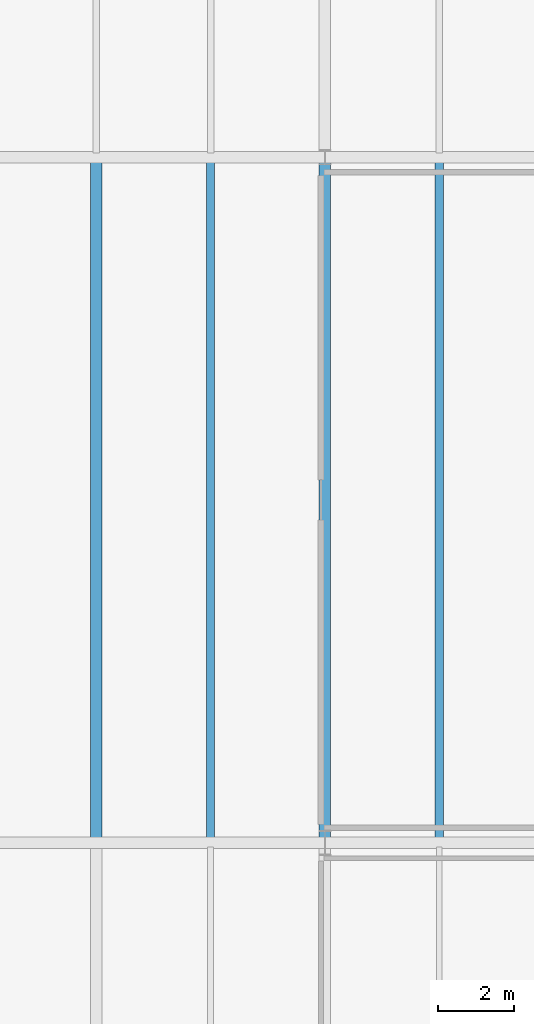
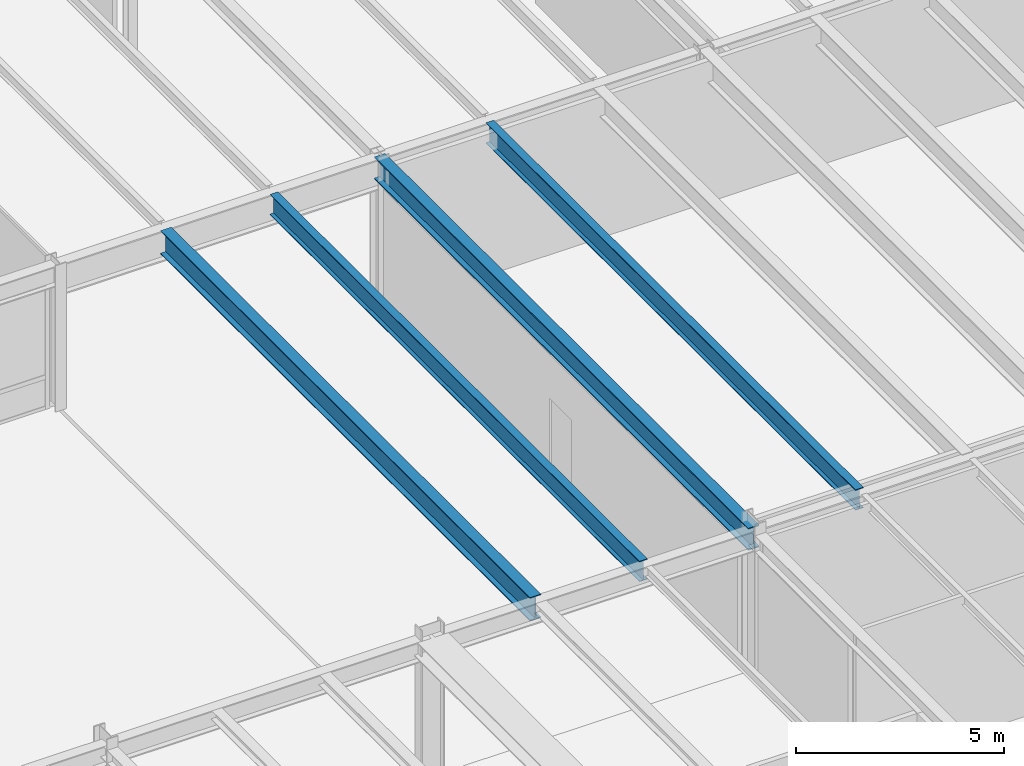
# One storey, part 40 of 115: 4 beams.
"""IFC4 building model written with IfcOpenShell, lengths in metres."""

from ifc_helpers import new_model, si_unit, direction, frame, origin, origin_2d, place, context, subcontext, project, spatial, i_section, extrude, material, material_profile, profile_set, type_object, element, save


model = new_model("IFC4")

# Units and contexts
model_context = context("Model", 3, precision=1e-05, world=origin(), true_north=direction((0.0, 1.0)))
body_context = subcontext(model_context, "Body", "Model", "MODEL_VIEW")
ifc_project = project(units=[si_unit("LENGTHUNIT", "METRE"), si_unit("AREAUNIT", "SQUARE_METRE"), si_unit("VOLUMEUNIT", "CUBIC_METRE"), si_unit("PLANEANGLEUNIT", "RADIAN"), si_unit("MASSUNIT", "GRAM", prefix="KILO")], contexts=[model_context])

# Site, building, storey
site_placement = place(None, origin())
site = spatial("IfcSite", under=ifc_project, at=site_placement, CompositionType="ELEMENT")
building_placement = place(site_placement, origin())
building = spatial("IfcBuilding", under=site, at=building_placement, Name="Montelvaro Courts of Justice", CompositionType="ELEMENT")
storey_placement = place(building_placement, frame((0.0, 0.0, 9.89990234375)))
storey = spatial("IfcBuildingStorey", under=building, at=storey_placement, Name="L02", CompositionType="ELEMENT", Elevation=9.89990234375)

# Beams
ifc_material = material(Name="Steel S355", Category="steel")
ifc_material_profile_1 = material_profile(ifc_material, i_section(OverallWidth=0.300048828125, OverallDepth=0.68994140625, WebThickness=0.014404296875, FlangeThickness=0.027099609375, at=origin_2d()), Name="HEA 700")
ifc_profile_set_1 = profile_set([ifc_material_profile_1], Name="Steel S355")
beam_type_1 = type_object("IfcBeamType", Name="Beam_HEA700", PredefinedType="USERDEFINED", material=ifc_profile_set_1)
beam_1_placement = place(storey_placement, frame((102.0, 24.110107421875, 3.85498046875), z_axis=(0.0, 1.0, 0.0), x_axis=(-1.0, 0.0, 0.0)))
element("IfcBeam", 1, at=beam_1_placement, inside=storey, type_object=beam_type_1, Name="Beam B-23 L02", ObjectType="GIRDER", PredefinedType="USERDEFINED", context=body_context, shape_type="SweptSolid", body=[
    extrude(i_section(OverallWidth=0.300048828125, OverallDepth=0.68994140625, WebThickness=0.014404296875, FlangeThickness=0.027099609375, at=origin_2d()), origin(), (0.0, 0.0, 1.0), 17.77978515625),
])
ifc_material_profile_2 = material_profile(ifc_material, i_section(OverallWidth=0.300048828125, OverallDepth=0.64990234375, WebThickness=0.01611328125, FlangeThickness=0.031005859375, at=origin_2d()), Name="HEB 650")
ifc_profile_set_2 = profile_set([ifc_material_profile_2], Name="Steel S355")
beam_type_2 = type_object("IfcBeamType", Name="Beam_HEB650", PredefinedType="USERDEFINED", material=ifc_profile_set_2)
beam_2_placement = place(storey_placement, frame((108.0, 24.0, 3.875), z_axis=(0.0, 1.0, 0.0), x_axis=(-1.0, 0.0, 0.0)))
element("IfcBeam", 2, at=beam_2_placement, inside=storey, type_object=beam_type_2, Name="Beam B-27 L02", ObjectType="GIRDER", PredefinedType="USERDEFINED", context=body_context, shape_type="SweptSolid", body=[
    extrude(i_section(OverallWidth=0.300048828125, OverallDepth=0.64990234375, WebThickness=0.01611328125, FlangeThickness=0.031005859375, at=origin_2d()), origin(), (0.0, 0.0, 1.0), 18.0),
])
ifc_material_profile_3 = material_profile(ifc_material, i_section(OverallWidth=0.219970703125, OverallDepth=0.60009765625, WebThickness=0.011962890625, FlangeThickness=0.01904296875, at=origin_2d()), Name="IPE 600")
ifc_profile_set_3 = profile_set([ifc_material_profile_3], Name="Steel S355")
beam_type_3 = type_object("IfcBeamType", Name="Beam_IPE600", PredefinedType="USERDEFINED", material=ifc_profile_set_3)
for number, where, z_axis, x_axis, name in (
    (3, (105.0, 24.110107421875, 3.900146484375), (0.0, 1.0, 0.0), (-1.0, 0.0, 0.0), "Beam B-12 L02"),
    (4, (111.0, 24.110107421875, 3.900146484375), (0.0, 1.0, 0.0), (-1.0, 0.0, 0.0), "Beam B-12 L02"),
):
    element("IfcBeam", number, at=place(storey_placement, frame(where, z_axis=z_axis, x_axis=x_axis)), inside=storey, type_object=beam_type_3, Name=name, ObjectType="GIRDER", PredefinedType="USERDEFINED", context=body_context, shape_type="SweptSolid", body=[
        extrude(i_section(OverallWidth=0.219970703125, OverallDepth=0.60009765625, WebThickness=0.011962890625, FlangeThickness=0.01904296875, at=origin_2d()), origin(), (0.0, 0.0, 1.0), 17.77978515625),
    ])

save(model, "model.ifc")
